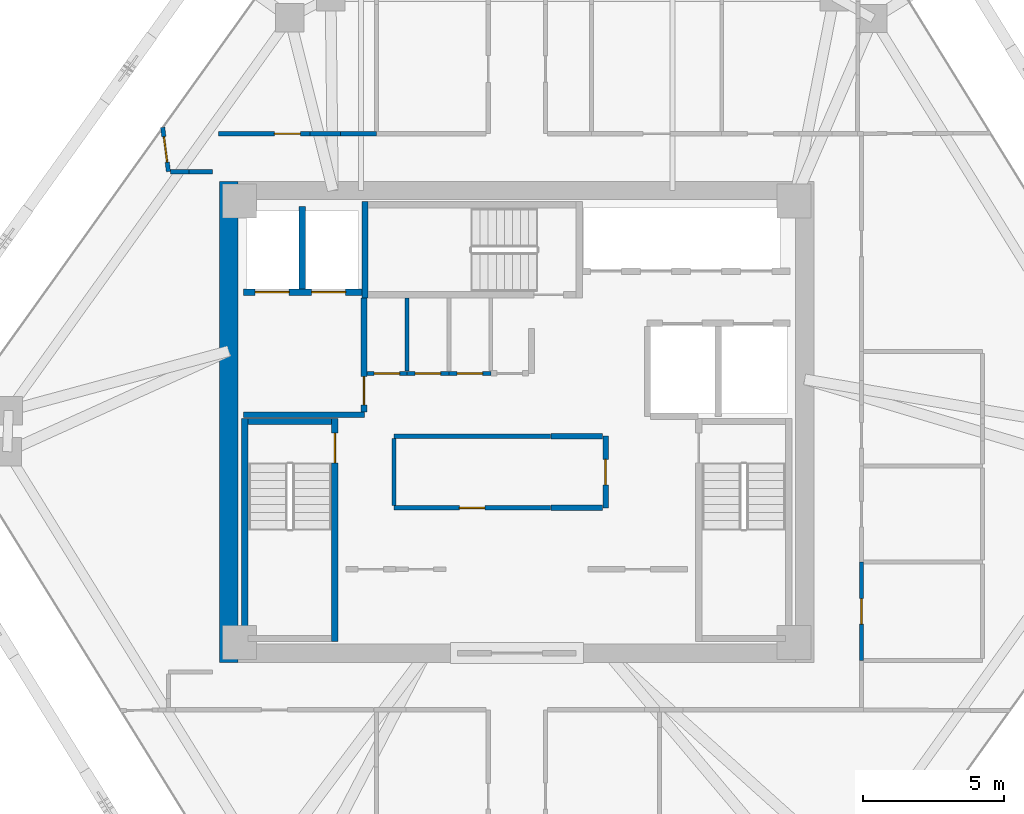
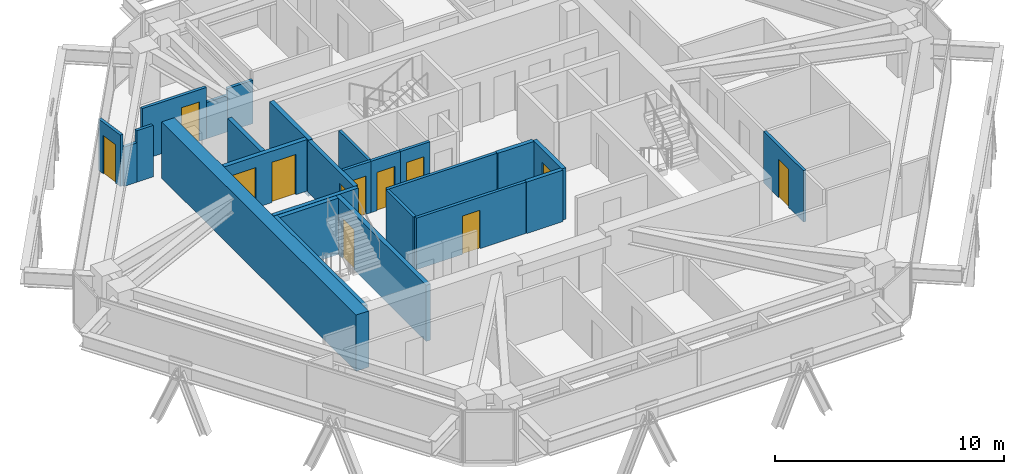
# One storey, part 11 of 15: 26 walls, 12 doors, 12 openings.
"""IFC4 building model written with IfcOpenShell, lengths in metres."""

from ifc_helpers import new_model, si_unit, direction, frame, frame_2d, origin, place, context, subcontext, project, spatial, rectangle, extrude, source, transform, mapped, material, layer, layer_set, type_object, type_shapes, element, fill, save


model = new_model("IFC4")

# Units and contexts
model_context = context("Model", 3, precision=1e-05, world=origin(), true_north=direction((0.0, 1.0)))
body_context = subcontext(model_context, "Body", "Model", "MODEL_VIEW")
ifc_project = project(units=[si_unit("LENGTHUNIT", "METRE"), si_unit("AREAUNIT", "SQUARE_METRE"), si_unit("VOLUMEUNIT", "CUBIC_METRE"), si_unit("PLANEANGLEUNIT", "RADIAN"), si_unit("MASSUNIT", "GRAM", prefix="KILO")], contexts=[model_context])

# Site, building, storey
site_placement = place(None, origin())
site = spatial("IfcSite", under=ifc_project, at=site_placement, CompositionType="ELEMENT")
building_placement = place(site_placement, origin())
building = spatial("IfcBuilding", under=site, at=building_placement, Name="Durnholm Broadcast Tower", CompositionType="ELEMENT")
storey_placement = place(building_placement, frame((0.0, 0.0, 206.199951171875)))
storey = spatial("IfcBuildingStorey", under=building, at=storey_placement, Name="L57", CompositionType="ELEMENT", Elevation=206.199951171875)

# Walls
ifc_material_1 = material(Name="Concrete C70/85", Category="concrete")
ifc_layer_1 = layer(ifc_material_1, 0.64990234375)
ifc_layer_set_1 = layer_set([ifc_layer_1], Name="Concrete C70/85")
wall_type_1 = type_object("IfcWallType", Name="WALL-CW-650", PredefinedType="SHEAR", material=ifc_layer_set_1)
wall_1_placement = place(storey_placement, frame((-10.175048828125, -8.5, 0.0), z_axis=(0.0, 0.0, 1.0), x_axis=(0.0, 1.0, 0.0)))
element("IfcWall", 1, at=wall_1_placement, inside=storey, type_object=wall_type_1, Name="L57 central core shear wall CW-WEST", PredefinedType="SHEAR", context=body_context, shape_type="SweptSolid", body=[
    extrude(rectangle(XDim=17.0, YDim=0.64990234375, at=frame_2d((8.5, 0.0))), origin(), (0.0, 0.0, 1.0), 3.0),
])
ifc_material_2 = material(Name="Fire-Rated Gypsum Shaftwall", Category="concrete")
ifc_layer_2 = layer(ifc_material_2, 0.199951171875)
ifc_layer_set_2 = layer_set([ifc_layer_2], Name="Fire-Rated Gypsum Shaftwall")
wall_type_2 = type_object("IfcWallType", Name="WALL-LOB-200", PredefinedType="SOLIDWALL", material=ifc_layer_set_2)
wall_2_placement = place(storey_placement, frame((-9.64990234375, 0.25, 0.0), z_axis=(0.0, 0.0, 1.0), x_axis=(1.0, 0.0, 0.0)))
element("IfcWall", 2, at=wall_2_placement, inside=storey, type_object=wall_type_2, Name="L57 Fire Service Access Elevator lobby south wall", PredefinedType="SOLIDWALL", context=body_context, shape_type="SweptSolid", body=[
    extrude(rectangle(XDim=4.27001953125, YDim=0.199951171875, at=frame_2d((2.135009765625, 0.0))), origin(), (0.0, 0.0, 1.0), 2.7451171875),
])

# Wall, opening, door
wall_3_placement = place(storey_placement, frame((-5.39990234375, 0.35400390625, 0.0), z_axis=(0.0, 0.0, 1.0), x_axis=(0.0, 1.0, 0.0)))
wall_3 = element("IfcWall", 3, at=wall_3_placement, inside=storey, type_object=wall_type_2, Name="L57 Fire Service Access Elevator lobby east fire wall", PredefinedType="SOLIDWALL", context=body_context, shape_type="SweptSolid", body=[
    extrude(rectangle(XDim=4.02587890625, YDim=0.199951171875, at=frame_2d((2.012939453125, 0.0))), origin(), (0.0, 0.0, 1.0), 2.7451171875),
])
opening_1_placement = place(wall_3_placement, frame((0.24609375, 0.0, 0.0)))
opening_1 = element("IfcOpeningElement", 4, at=opening_1_placement, cuts=wall_3, Name="Opening DL-60R", PredefinedType="OPENING", context=body_context, shape_type="SweptSolid", body=[
    extrude(rectangle(XDim=1.0, YDim=2.14990234375, at=frame_2d((0.5, 1.074951171875))), frame((0.0, 0.10986328125, 0.0), z_axis=(0.0, -1.0, 0.0), x_axis=(1.0, 0.0, 0.0)), (0.0, 0.0, 1.0), 0.219970703125),
])
ifc_material_3 = material(Name="Fire-Rated Timber/Steel Door", Category="steel")
ifc_layer_3 = layer(ifc_material_3, 0.050048828125)
ifc_layer_set_3 = layer_set([ifc_layer_3], Name="Fire-Rated Timber/Steel Door")
door_type_1 = type_object("IfcDoorType", Name="DOOR-LOB-FD60-R", OperationType="NOTDEFINED", PredefinedType="DOOR", material=ifc_layer_set_3)
shared_shape_1 = source(origin(), body_context, "Body", "SweptSolid", [
    extrude(rectangle(XDim=1.0, YDim=2.14990234375, at=frame_2d((0.5, 1.074951171875))), frame((0.0, 0.02490234375, 0.0), z_axis=(0.0, -1.0, 0.0), x_axis=(1.0, 0.0, 0.0)), (0.0, 0.0, 1.0), 0.050048828125),
])
type_shapes(door_type_1, [shared_shape_1])
door_1_placement = place(opening_1_placement, origin())
door_1 = element("IfcDoor", 5, at=door_1_placement, inside=storey, type_object=door_type_1, Name="L57 Fire Service Access Elevator lobby smoke door", OperationType="SINGLE_SWING_RIGHT", OverallHeight=2.14990234375, OverallWidth=1.0, PredefinedType="DOOR", context=body_context, shape_type="MappedRepresentation", body=[
    mapped(shared_shape_1, transform((0.0, 0.0, 0.0), x_axis=(1.0, 0.0, 0.0), y_axis=(0.0, 1.0, 0.0), z_axis=(0.0, 0.0, 1.0), scale=1.0)),
])
fill(opening_1, door_1)

wall_4_placement = place(storey_placement, frame((3.139892578125, -0.510009765625, 0.0), z_axis=(0.0, 0.0, 1.0), x_axis=(0.0, -1.0, 0.0)))
wall_4 = element("IfcWall", 6, at=wall_4_placement, inside=storey, type_object=wall_type_2, Name="L57 Core IT Telecom Room corridor partition", PredefinedType="SOLIDWALL", context=body_context, shape_type="SweptSolid", body=[
    extrude(rectangle(XDim=2.530029296875, YDim=0.199951171875, at=frame_2d((1.26513671875, 0.0))), origin(), (0.0, 0.0, 1.0), 2.7451171875),
])
opening_2_placement = place(wall_4_placement, frame((0.81494140625, 0.0, 0.0)))
opening_2 = element("IfcOpeningElement", 7, at=opening_2_placement, cuts=wall_4, Name="Opening DC-60R", PredefinedType="OPENING", context=body_context, shape_type="SweptSolid", body=[
    extrude(rectangle(XDim=0.89990234375, YDim=2.050048828125, at=frame_2d((0.449951171875, 1.02490234375))), frame((0.0, 0.10986328125, 0.0), z_axis=(0.0, -1.0, 0.0), x_axis=(1.0, 0.0, 0.0)), (0.0, 0.0, 1.0), 0.219970703125),
])
ifc_material_4 = material(Name="Fire-Rated Core Service Door", Category="steel")
ifc_layer_4 = layer(ifc_material_4, 0.050048828125)
ifc_layer_set_4 = layer_set([ifc_layer_4], Name="Fire-Rated Core Service Door")
door_type_2 = type_object("IfcDoorType", Name="DOOR-CORE-FD60-R", OperationType="NOTDEFINED", PredefinedType="DOOR", material=ifc_layer_set_4)
shared_shape_2 = source(origin(), body_context, "Body", "SweptSolid", [
    extrude(rectangle(XDim=0.89990234375, YDim=2.050048828125, at=frame_2d((0.449951171875, 1.02490234375))), frame((0.0, 0.02490234375, 0.0), z_axis=(0.0, -1.0, 0.0), x_axis=(1.0, 0.0, 0.0)), (0.0, 0.0, 1.0), 0.050048828125),
])
type_shapes(door_type_2, [shared_shape_2])
door_2_placement = place(opening_2_placement, origin())
door_2 = element("IfcDoor", 8, at=door_2_placement, inside=storey, type_object=door_type_2, Name="L57 Core IT Telecom Room entrance door", OperationType="SINGLE_SWING_RIGHT", OverallHeight=2.050048828125, OverallWidth=0.89990234375, PredefinedType="DOOR", context=body_context, shape_type="MappedRepresentation", body=[
    mapped(shared_shape_2, transform((0.0, 0.0, 0.0), x_axis=(1.0, 0.0, 0.0), y_axis=(0.0, 1.0, 0.0), z_axis=(0.0, 0.0, 1.0), scale=1.0)),
])
fill(opening_2, door_2)

# Walls
for number, where, z_axis, x_axis, name in (
    (9, (3.035888671875, -3.0400390625, 0.0), (0.0, 0.0, 1.0), (-1.0, 0.0, 0.0), "L57 Core IT Telecom Room corridor partition"),
    (10, (1.2099609375, -0.510009765625, 0.0), (0.0, 0.0, 1.0), (1.0, 0.0, 0.0), "L57 Core IT Telecom Room corridor partition"),
):
    element("IfcWall", number, at=place(storey_placement, frame(where, z_axis=z_axis, x_axis=x_axis)), inside=storey, type_object=wall_type_2, Name=name, PredefinedType="SOLIDWALL", context=body_context, shape_type="SweptSolid", body=[
        extrude(rectangle(XDim=1.825927734375, YDim=0.199951171875, at=frame_2d((0.9130859375, 0.0))), origin(), (0.0, 0.0, 1.0), 2.7451171875),
    ])
ifc_material_5 = material(Name="Gypsum Metal Stud Partition", Category="concrete")
ifc_layer_5 = layer(ifc_material_5, 0.135009765625)
ifc_layer_set_5 = layer_set([ifc_layer_5], Name="Gypsum Metal Stud Partition")
wall_type_3 = type_object("IfcWallType", Name="WALL-PART-135", PredefinedType="PARTITIONING", material=ifc_layer_set_5)
wall_5_placement = place(storey_placement, frame((-3.8798828125, 4.375, 0.0), z_axis=(0.0, 0.0, 1.0), x_axis=(0.0, -1.0, 0.0)))
element("IfcWall", 11, at=wall_5_placement, inside=storey, type_object=wall_type_3, Name="L57 room dividing partition 6.7", PredefinedType="PARTITIONING", context=body_context, shape_type="SweptSolid", body=[
    extrude(rectangle(XDim=2.5859375, YDim=0.135009765625, at=frame_2d((1.29296875, 0.0))), origin(), (0.0, 0.0, 1.0), 2.7451171875),
])

# Wall, opening, door
ifc_material_6 = material(Name="Acoustic Gypsum Stud Partition", Category="concrete")
ifc_layer_6 = layer(ifc_material_6, 0.14990234375)
ifc_layer_set_6 = layer_set([ifc_layer_6], Name="Acoustic Gypsum Stud Partition")
wall_type_4 = type_object("IfcWallType", Name="WALL-PART-150", PredefinedType="PARTITIONING", material=ifc_layer_set_6)
wall_6_placement = place(storey_placement, frame((1.18994140625, -3.0400390625, 0.0), z_axis=(0.0, 0.0, 1.0), x_axis=(-1.0, 0.0, 0.0)))
wall_6 = element("IfcWall", 12, at=wall_6_placement, inside=storey, type_object=wall_type_4, Name="L57 Broadcast Equipment Store corridor partition", PredefinedType="PARTITIONING", context=body_context, shape_type="SweptSolid", body=[
    extrude(rectangle(XDim=5.530029296875, YDim=0.14990234375, at=frame_2d((2.76513671875, 0.0))), origin(), (0.0, 0.0, 1.0), 2.7451171875),
])
opening_3_placement = place(wall_6_placement, frame((2.31494140625, 0.0, 0.0)))
opening_3 = element("IfcOpeningElement", 13, at=opening_3_placement, cuts=wall_6, Name="Opening DC-60L", PredefinedType="OPENING", context=body_context, shape_type="SweptSolid", body=[
    extrude(rectangle(XDim=0.89990234375, YDim=2.050048828125, at=frame_2d((0.449951171875, 1.02490234375))), frame((0.0, 0.0849609375, 0.0), z_axis=(0.0, -1.0, 0.0), x_axis=(1.0, 0.0, 0.0)), (0.0, 0.0, 1.0), 0.169921875),
])
ifc_layer_7 = layer(ifc_material_4, 0.050048828125)
ifc_layer_set_7 = layer_set([ifc_layer_7], Name="Fire-Rated Core Service Door")
door_type_3 = type_object("IfcDoorType", Name="DOOR-CORE-FD60-L", OperationType="NOTDEFINED", PredefinedType="DOOR", material=ifc_layer_set_7)
shared_shape_3 = source(origin(), body_context, "Body", "SweptSolid", [
    extrude(rectangle(XDim=0.89990234375, YDim=2.050048828125, at=frame_2d((0.449951171875, 1.02490234375))), frame((0.0, 0.02490234375, 0.0), z_axis=(0.0, -1.0, 0.0), x_axis=(1.0, 0.0, 0.0)), (0.0, 0.0, 1.0), 0.050048828125),
])
type_shapes(door_type_3, [shared_shape_3])
door_3_placement = place(opening_3_placement, origin())
door_3 = element("IfcDoor", 14, at=door_3_placement, inside=storey, type_object=door_type_3, Name="L57 Broadcast Equipment Store entrance door", OperationType="SINGLE_SWING_LEFT", OverallHeight=2.050048828125, OverallWidth=0.89990234375, PredefinedType="DOOR", context=body_context, shape_type="MappedRepresentation", body=[
    mapped(shared_shape_3, transform((0.0, 0.0, 0.0), x_axis=(1.0, 0.0, 0.0), y_axis=(0.0, 1.0, 0.0), z_axis=(0.0, 0.0, 1.0), scale=1.0)),
])
fill(opening_3, door_3)

# Walls
wall_7_placement = place(storey_placement, frame((-4.340087890625, -0.510009765625, 0.0), z_axis=(0.0, 0.0, 1.0), x_axis=(1.0, 0.0, 0.0)))
element("IfcWall", 15, at=wall_7_placement, inside=storey, type_object=wall_type_4, Name="L57 Broadcast Equipment Store corridor partition", PredefinedType="PARTITIONING", context=body_context, shape_type="SweptSolid", body=[
    extrude(rectangle(XDim=5.530029296875, YDim=0.14990234375, at=frame_2d((2.76513671875, 0.0))), origin(), (0.0, 0.0, 1.0), 2.7451171875),
])
wall_8_placement = place(storey_placement, frame((-4.340087890625, -2.9609375, 0.0), z_axis=(0.0, 0.0, 1.0), x_axis=(0.0, 1.0, 0.0)))
element("IfcWall", 16, at=wall_8_placement, inside=storey, type_object=wall_type_4, Name="L57 Broadcast Equipment Store corridor partition", PredefinedType="PARTITIONING", context=body_context, shape_type="SweptSolid", body=[
    extrude(rectangle(XDim=2.371826171875, YDim=0.14990234375, at=frame_2d((1.18603515625, 0.0))), origin(), (0.0, 0.0, 1.0), 2.7451171875),
])

# Wall, opening, door
wall_9_placement = place(storey_placement, frame((-3.8798828125, 1.7099609375, 0.0), z_axis=(0.0, 0.0, 1.0), x_axis=(-1.0, 0.0, 0.0)))
wall_9 = element("IfcWall", 17, at=wall_9_placement, inside=storey, type_object=wall_type_4, Name="L57 Core First Aid Store corridor partition", PredefinedType="PARTITIONING", context=body_context, shape_type="SweptSolid", body=[
    extrude(rectangle(XDim=1.416015625, YDim=0.14990234375, at=frame_2d((0.7080078125, 0.0))), origin(), (0.0, 0.0, 1.0), 2.7451171875),
])
opening_4_placement = place(wall_9_placement, frame((0.258056640625, 0.0, 0.0)))
opening_4 = element("IfcOpeningElement", 18, at=opening_4_placement, cuts=wall_9, Name="Opening DC-60L", PredefinedType="OPENING", context=body_context, shape_type="SweptSolid", body=[
    extrude(rectangle(XDim=0.89990234375, YDim=2.050048828125, at=frame_2d((0.449951171875, 1.02490234375))), frame((0.0, 0.0849609375, 0.0), z_axis=(0.0, -1.0, 0.0), x_axis=(1.0, 0.0, 0.0)), (0.0, 0.0, 1.0), 0.169921875),
])
door_4_placement = place(opening_4_placement, origin())
door_4 = element("IfcDoor", 19, at=door_4_placement, inside=storey, type_object=door_type_3, Name="L57 Core First Aid Store entrance door", OperationType="SINGLE_SWING_LEFT", OverallHeight=2.050048828125, OverallWidth=0.89990234375, PredefinedType="DOOR", context=body_context, shape_type="MappedRepresentation", body=[
    mapped(shared_shape_3, transform((0.0, 0.0, 0.0), x_axis=(1.0, 0.0, 0.0), y_axis=(0.0, 1.0, 0.0), z_axis=(0.0, 0.0, 1.0), scale=1.0)),
])
fill(opening_4, door_4)

wall_10_placement = place(storey_placement, frame((-2.39990234375, 1.7099609375, 0.0), z_axis=(0.0, 0.0, 1.0), x_axis=(-1.0, 0.0, 0.0)))
wall_10 = element("IfcWall", 20, at=wall_10_placement, inside=storey, type_object=wall_type_4, Name="L57 Core Linen Supply Closet corridor partition", PredefinedType="PARTITIONING", context=body_context, shape_type="SweptSolid", body=[
    extrude(rectangle(XDim=1.47998046875, YDim=0.14990234375, at=frame_2d((0.739990234375, 0.0))), origin(), (0.0, 0.0, 1.0), 2.7451171875),
])
opening_5_placement = place(wall_10_placement, frame((0.2900390625, 0.0, 0.0)))
opening_5 = element("IfcOpeningElement", 21, at=opening_5_placement, cuts=wall_10, Name="Opening DC-60R", PredefinedType="OPENING", context=body_context, shape_type="SweptSolid", body=[
    extrude(rectangle(XDim=0.89990234375, YDim=2.050048828125, at=frame_2d((0.449951171875, 1.02490234375))), frame((0.0, 0.0849609375, 0.0), z_axis=(0.0, -1.0, 0.0), x_axis=(1.0, 0.0, 0.0)), (0.0, 0.0, 1.0), 0.169921875),
])
door_5_placement = place(opening_5_placement, origin())
door_5 = element("IfcDoor", 22, at=door_5_placement, inside=storey, type_object=door_type_2, Name="L57 Core Linen Supply Closet entrance door", OperationType="SINGLE_SWING_RIGHT", OverallHeight=2.050048828125, OverallWidth=0.89990234375, PredefinedType="DOOR", context=body_context, shape_type="MappedRepresentation", body=[
    mapped(shared_shape_2, transform((0.0, 0.0, 0.0), x_axis=(1.0, 0.0, 0.0), y_axis=(0.0, 1.0, 0.0), z_axis=(0.0, 0.0, 1.0), scale=1.0)),
])
fill(opening_5, door_5)

wall_11_placement = place(storey_placement, frame((-0.919921875, 1.7099609375, 0.0), z_axis=(0.0, 0.0, 1.0), x_axis=(-1.0, 0.0, 0.0)))
wall_11 = element("IfcWall", 23, at=wall_11_placement, inside=storey, type_object=wall_type_4, Name="L57 Core Safety Gear Store corridor partition", PredefinedType="PARTITIONING", context=body_context, shape_type="SweptSolid", body=[
    extrude(rectangle(XDim=1.47998046875, YDim=0.14990234375, at=frame_2d((0.739990234375, 0.0))), origin(), (0.0, 0.0, 1.0), 2.7451171875),
])
opening_6_placement = place(wall_11_placement, frame((0.2900390625, 0.0, 0.0)))
opening_6 = element("IfcOpeningElement", 24, at=opening_6_placement, cuts=wall_11, Name="Opening DC-60L", PredefinedType="OPENING", context=body_context, shape_type="SweptSolid", body=[
    extrude(rectangle(XDim=0.89990234375, YDim=2.050048828125, at=frame_2d((0.449951171875, 1.02490234375))), frame((0.0, 0.0849609375, 0.0), z_axis=(0.0, -1.0, 0.0), x_axis=(1.0, 0.0, 0.0)), (0.0, 0.0, 1.0), 0.169921875),
])
door_6_placement = place(opening_6_placement, origin())
door_6 = element("IfcDoor", 25, at=door_6_placement, inside=storey, type_object=door_type_3, Name="L57 Core Safety Gear Store entrance door", OperationType="SINGLE_SWING_LEFT", OverallHeight=2.050048828125, OverallWidth=0.89990234375, PredefinedType="DOOR", context=body_context, shape_type="MappedRepresentation", body=[
    mapped(shared_shape_3, transform((0.0, 0.0, 0.0), x_axis=(1.0, 0.0, 0.0), y_axis=(0.0, 1.0, 0.0), z_axis=(0.0, 0.0, 1.0), scale=1.0)),
])
fill(opening_6, door_6)

# Wall
wall_12_placement = place(storey_placement, frame((-4.9599609375, 10.179931640625, 0.0), z_axis=(0.0, 0.0, 1.0), x_axis=(-1.0, 0.0, 0.0)))
element("IfcWall", 26, at=wall_12_placement, inside=storey, type_object=wall_type_4, Name="L57 Music Rights Office corridor partition", PredefinedType="PARTITIONING", context=body_context, shape_type="SweptSolid", body=[
    extrude(rectangle(XDim=1.272705078125, YDim=0.14990234375, at=frame_2d((0.63623046875, 0.0))), origin(), (0.0, 0.0, 1.0), 2.308349609375),
])

# Wall, opening, door
wall_13_placement = place(storey_placement, frame((-7.29931640625, 10.179931640625, 0.0), z_axis=(0.0, 0.0, 1.0), x_axis=(-1.0, 0.0, 0.0)))
wall_13 = element("IfcWall", 27, at=wall_13_placement, inside=storey, type_object=wall_type_4, Name="L57 Music Rights Office corridor partition", PredefinedType="PARTITIONING", context=body_context, shape_type="SweptSolid", body=[
    extrude(rectangle(XDim=3.24072265625, YDim=0.14990234375, at=frame_2d((1.620361328125, 0.0))), origin(), (0.0, 0.0, 1.0), 2.7451171875),
])
opening_7_placement = place(wall_13_placement, frame((0.35009765625, 0.0, 0.0)))
opening_7 = element("IfcOpeningElement", 28, at=opening_7_placement, cuts=wall_13, Name="Opening DR-92R", PredefinedType="OPENING", context=body_context, shape_type="SweptSolid", body=[
    extrude(rectangle(XDim=0.919921875, YDim=2.10009765625, at=frame_2d((0.4599609375, 1.050048828125))), frame((0.0, 0.0849609375, 0.0), z_axis=(0.0, -1.0, 0.0), x_axis=(1.0, 0.0, 0.0)), (0.0, 0.0, 1.0), 0.169921875),
])
ifc_material_7 = material(Name="Oak Veneer Office Door", Category="wood")
ifc_layer_8 = layer(ifc_material_7, 0.050048828125)
ifc_layer_set_8 = layer_set([ifc_layer_8], Name="Oak Veneer Office Door")
door_type_4 = type_object("IfcDoorType", Name="DOOR-RM-920R", OperationType="NOTDEFINED", PredefinedType="DOOR", material=ifc_layer_set_8)
shared_shape_4 = source(origin(), body_context, "Body", "SweptSolid", [
    extrude(rectangle(XDim=0.919921875, YDim=2.10009765625, at=frame_2d((0.4599609375, 1.050048828125))), frame((0.0, 0.02490234375, 0.0), z_axis=(0.0, -1.0, 0.0), x_axis=(1.0, 0.0, 0.0)), (0.0, 0.0, 1.0), 0.050048828125),
])
type_shapes(door_type_4, [shared_shape_4])
door_7_placement = place(opening_7_placement, origin())
door_7 = element("IfcDoor", 29, at=door_7_placement, inside=storey, type_object=door_type_4, Name="L57 Music Rights Office entrance door", OperationType="SINGLE_SWING_RIGHT", OverallHeight=2.10009765625, OverallWidth=0.919921875, PredefinedType="DOOR", context=body_context, shape_type="MappedRepresentation", body=[
    mapped(shared_shape_4, transform((0.0, 0.0, 0.0), x_axis=(1.0, 0.0, 0.0), y_axis=(0.0, 1.0, 0.0), z_axis=(0.0, 0.0, 1.0), scale=1.0)),
])
fill(opening_7, door_7)

# Walls
wall_14_placement = place(storey_placement, frame((-6.232666015625, 10.179931640625, 0.0), z_axis=(0.0, 0.0, 1.0), x_axis=(-1.0, 0.0, 0.0)))
element("IfcWall", 30, at=wall_14_placement, inside=storey, type_object=wall_type_4, Name="L57 Music Rights Office corridor partition", PredefinedType="PARTITIONING", context=body_context, shape_type="SweptSolid", body=[
    extrude(rectangle(XDim=1.066650390625, YDim=0.14990234375, at=frame_2d((0.533203125, 0.0))), origin(), (0.0, 0.0, 1.0), 1.94189453125),
])
wall_15_placement = place(storey_placement, frame((-11.591064453125, 8.840087890625, 0.0), z_axis=(0.0, 0.0, 1.0), x_axis=(1.0, 0.0, 0.0)))
element("IfcWall", 31, at=wall_15_placement, inside=storey, type_object=wall_type_4, Name="L57 Composer Office 1 corridor partition", PredefinedType="PARTITIONING", context=body_context, shape_type="SweptSolid", body=[
    extrude(rectangle(XDim=0.8310546875, YDim=0.14990234375, at=frame_2d((0.41552734375, 0.0))), origin(), (0.0, 0.0, 1.0), 2.7451171875),
])
wall_16_placement = place(storey_placement, frame((-12.23681640625, 8.840087890625, 0.0), z_axis=(0.0, 0.0, 1.0), x_axis=(1.0, 0.0, 0.0)))
element("IfcWall", 32, at=wall_16_placement, inside=storey, type_object=wall_type_4, Name="L57 Composer Office 1 corridor partition", PredefinedType="PARTITIONING", context=body_context, shape_type="SweptSolid", body=[
    extrude(rectangle(XDim=0.645751953125, YDim=0.14990234375, at=frame_2d((0.32275390625, 0.0))), origin(), (0.0, 0.0, 1.0), 2.098876953125),
])

# Wall, opening, door
wall_17_placement = place(storey_placement, frame((-12.514404296875, 10.40625, 0.0), z_axis=(0.0, 0.0, 1.0), x_axis=(0.129378833178, -0.991595238757, 0.0)))
wall_17 = element("IfcWall", 33, at=wall_17_placement, inside=storey, type_object=wall_type_4, Name="L57 Composer Office 1 corridor partition", PredefinedType="PARTITIONING", context=body_context, shape_type="SweptSolid", body=[
    extrude(rectangle(XDim=1.579345703125, YDim=0.14990234375, at=frame_2d((0.78955078125, 0.0))), origin(), (0.0, 0.0, 1.0), 2.7451171875),
])
opening_8_placement = place(wall_17_placement, frame((0.33984375, 0.0, 0.0)))
opening_8 = element("IfcOpeningElement", 34, at=opening_8_placement, cuts=wall_17, Name="Opening DW-90R", PredefinedType="OPENING", context=body_context, shape_type="SweptSolid", body=[
    extrude(rectangle(XDim=0.89990234375, YDim=2.050048828125, at=frame_2d((0.449951171875, 1.02490234375))), frame((0.0, 0.0849609375, 0.0), z_axis=(0.0, -1.0, 0.0), x_axis=(1.0, 0.0, 0.0)), (0.0, 0.0, 1.0), 0.169921875),
])
ifc_material_8 = material(Name="Laminate Restroom Door", Category="steel")
ifc_layer_9 = layer(ifc_material_8, 0.050048828125)
ifc_layer_set_9 = layer_set([ifc_layer_9], Name="Laminate Restroom Door")
door_type_5 = type_object("IfcDoorType", Name="DOOR-WC-900R", OperationType="NOTDEFINED", PredefinedType="DOOR", material=ifc_layer_set_9)
shared_shape_5 = source(origin(), body_context, "Body", "SweptSolid", [
    extrude(rectangle(XDim=0.89990234375, YDim=2.050048828125, at=frame_2d((0.449951171875, 1.02490234375))), frame((0.0, 0.02490234375, 0.0), z_axis=(0.0, -1.0, 0.0), x_axis=(1.0, 0.0, 0.0)), (0.0, 0.0, 1.0), 0.050048828125),
])
type_shapes(door_type_5, [shared_shape_5])
door_8_placement = place(opening_8_placement, origin())
door_8 = element("IfcDoor", 35, at=door_8_placement, inside=storey, type_object=door_type_5, Name="L57 Composer Office 1 entrance door", OperationType="SINGLE_SWING_RIGHT", OverallHeight=2.050048828125, OverallWidth=0.89990234375, PredefinedType="DOOR", context=body_context, shape_type="MappedRepresentation", body=[
    mapped(shared_shape_5, transform((0.0, 0.0, 0.0), x_axis=(1.0, 0.0, 0.0), y_axis=(0.0, 1.0, 0.0), z_axis=(0.0, 0.0, 1.0), scale=1.0)),
])
fill(opening_8, door_8)

# Wall, openings, doors
ifc_material_9 = material(Name="Concrete Blockwork C30/37", Category="masonry")
ifc_layer_10 = layer(ifc_material_9, 0.219970703125)
ifc_layer_set_10 = layer_set([ifc_layer_10], Name="Concrete Blockwork C30/37")
wall_type_5 = type_object("IfcWallType", Name="WALL-SHAFT-220", PredefinedType="SOLIDWALL", material=ifc_layer_set_10)
wall_18_placement = place(storey_placement, frame((-9.64990234375, 4.580078125, 0.0), z_axis=(0.0, 0.0, 1.0), x_axis=(1.0, 0.0, 0.0)))
wall_18 = element("IfcWall", 36, at=wall_18_placement, inside=storey, type_object=wall_type_5, Name="L57 FSAE hoistway front fire wall", PredefinedType="SOLIDWALL", context=body_context, shape_type="SweptSolid", body=[
    extrude(rectangle(XDim=4.1748046875, YDim=0.219970703125, at=frame_2d((2.08740234375, 0.0))), origin(), (0.0, 0.0, 1.0), 2.7451171875),
])
opening_9_placement = place(wall_18_placement, frame((0.39990234375, 0.0, 0.0)))
opening_9 = element("IfcOpeningElement", 37, at=opening_9_placement, cuts=wall_18, Name="Opening LD-FSAE-2", PredefinedType="OPENING", context=body_context, shape_type="SweptSolid", body=[
    extrude(rectangle(XDim=1.199951171875, YDim=2.14990234375, at=frame_2d((0.60009765625, 1.074951171875))), frame((0.0, 0.1201171875, 0.0), z_axis=(0.0, -1.0, 0.0), x_axis=(1.0, 0.0, 0.0)), (0.0, 0.0, 1.0), 0.239990234375),
])
opening_10_placement = place(wall_18_placement, frame((2.39990234375, 0.0, 0.0)))
opening_10 = element("IfcOpeningElement", 38, at=opening_10_placement, cuts=wall_18, Name="Opening LD-FSAE-1", PredefinedType="OPENING", context=body_context, shape_type="SweptSolid", body=[
    extrude(rectangle(XDim=1.199951171875, YDim=2.14990234375, at=frame_2d((0.60009765625, 1.074951171875))), frame((0.0, 0.1201171875, 0.0), z_axis=(0.0, -1.0, 0.0), x_axis=(1.0, 0.0, 0.0)), (0.0, 0.0, 1.0), 0.239990234375),
])
ifc_material_10 = material(Name="Fire Service Access Sliding Landing Door", Category="steel")
ifc_layer_11 = layer(ifc_material_10, 0.050048828125)
ifc_layer_set_11 = layer_set([ifc_layer_11], Name="Fire Service Access Sliding Landing Door")
door_type_6 = type_object("IfcDoorType", Name="DOOR-LIFT-FSAE", OperationType="DOUBLE_DOOR_SLIDING", PredefinedType="DOOR", material=ifc_layer_set_11)
shared_shape_6 = source(origin(), body_context, "Body", "SweptSolid", [
    extrude(rectangle(XDim=1.199951171875, YDim=2.14990234375, at=frame_2d((0.60009765625, 1.074951171875))), frame((0.0, 0.02490234375, 0.0), z_axis=(0.0, -1.0, 0.0), x_axis=(1.0, 0.0, 0.0)), (0.0, 0.0, 1.0), 0.050048828125),
])
type_shapes(door_type_6, [shared_shape_6])
door_9_placement = place(opening_9_placement, origin())
door_9 = element("IfcDoor", 39, at=door_9_placement, inside=storey, type_object=door_type_6, Name="L57 Fire Service Access Elevator FSAE-2 sliding landing door", OperationType="DOUBLE_DOOR_SLIDING", OverallHeight=2.14990234375, OverallWidth=1.199951171875, PredefinedType="DOOR", context=body_context, shape_type="MappedRepresentation", body=[
    mapped(shared_shape_6, transform((0.0, 0.0, 0.0), x_axis=(1.0, 0.0, 0.0), y_axis=(0.0, 1.0, 0.0), z_axis=(0.0, 0.0, 1.0), scale=1.0)),
])
fill(opening_9, door_9)
door_10_placement = place(opening_10_placement, origin())
door_10 = element("IfcDoor", 40, at=door_10_placement, inside=storey, type_object=door_type_6, Name="L57 Fire Service Access Elevator FSAE-1 sliding landing door", OperationType="DOUBLE_DOOR_SLIDING", OverallHeight=2.14990234375, OverallWidth=1.199951171875, PredefinedType="DOOR", context=body_context, shape_type="MappedRepresentation", body=[
    mapped(shared_shape_6, transform((0.0, 0.0, 0.0), x_axis=(1.0, 0.0, 0.0), y_axis=(0.0, 1.0, 0.0), z_axis=(0.0, 0.0, 1.0), scale=1.0)),
])
fill(opening_10, door_10)

# Wall
wall_19_placement = place(storey_placement, frame((-7.580078125, 4.694091796875, 0.0), z_axis=(0.0, 0.0, 1.0), x_axis=(0.0, 1.0, 0.0)))
element("IfcWall", 41, at=wall_19_placement, inside=storey, type_object=wall_type_5, Name="L57 FSAE shaft divider wall", PredefinedType="SOLIDWALL", context=body_context, shape_type="SweptSolid", body=[
    extrude(rectangle(XDim=2.906005859375, YDim=0.219970703125, at=frame_2d((1.453125, 0.0))), origin(), (0.0, 0.0, 1.0), 2.7451171875),
])

# Wall, opening, door
ifc_material_11 = material(Name="Concrete C50/60", Category="concrete")
ifc_layer_12 = layer(ifc_material_11, 0.219970703125)
ifc_layer_set_12 = layer_set([ifc_layer_12], Name="Concrete C50/60")
wall_type_6 = type_object("IfcWallType", Name="WALL-SW-220", PredefinedType="SHEAR", material=ifc_layer_set_12)
wall_20_placement = place(storey_placement, frame((-6.429931640625, -7.77001953125, -0.239990234375), z_axis=(0.0, 0.0, 1.0), x_axis=(0.0, 1.0, 0.0)))
wall_20 = element("IfcWall", 42, at=wall_20_placement, inside=storey, type_object=wall_type_6, Name="L57 stair ST-1 structural shaft wall E", PredefinedType="SHEAR", context=body_context, shape_type="SweptSolid", body=[
    extrude(rectangle(XDim=7.89013671875, YDim=0.219970703125, at=frame_2d((3.945068359375, 0.0))), origin(), (0.0, 0.0, 1.0), 3.0),
])
opening_11_placement = place(wall_20_placement, frame((6.320068359375, 0.0, 0.0)))
opening_11 = element("IfcOpeningElement", 43, at=opening_11_placement, cuts=wall_20, Name="Opening DS-90L", PredefinedType="OPENING", context=body_context, shape_type="SweptSolid", body=[
    extrude(rectangle(XDim=1.050048828125, YDim=2.14990234375, at=frame_2d((0.52490234375, 1.074951171875))), frame((0.0, 0.1201171875, 0.0), z_axis=(0.0, -1.0, 0.0), x_axis=(1.0, 0.0, 0.0)), (0.0, 0.0, 1.0), 0.239990234375),
])
ifc_material_12 = material(Name="Fire-Rated Steel Door", Category="steel")
ifc_layer_13 = layer(ifc_material_12, 0.050048828125)
ifc_layer_set_13 = layer_set([ifc_layer_13], Name="Fire-Rated Steel Door")
door_type_7 = type_object("IfcDoorType", Name="DOOR-ST-FD90-L", OperationType="NOTDEFINED", PredefinedType="DOOR", material=ifc_layer_set_13)
shared_shape_7 = source(origin(), body_context, "Body", "SweptSolid", [
    extrude(rectangle(XDim=1.050048828125, YDim=2.14990234375, at=frame_2d((0.52490234375, 1.074951171875))), frame((0.0, 0.02490234375, 0.0), z_axis=(0.0, -1.0, 0.0), x_axis=(1.0, 0.0, 0.0)), (0.0, 0.0, 1.0), 0.050048828125),
])
type_shapes(door_type_7, [shared_shape_7])
door_11_placement = place(opening_11_placement, origin())
door_11 = element("IfcDoor", 44, at=door_11_placement, inside=storey, type_object=door_type_7, Name="L57 exit stair ST-1 fire door", OperationType="SINGLE_SWING_LEFT", OverallHeight=2.14990234375, OverallWidth=1.050048828125, PredefinedType="DOOR", context=body_context, shape_type="MappedRepresentation", body=[
    mapped(shared_shape_7, transform((0.0, 0.0, 0.0), x_axis=(1.0, 0.0, 0.0), y_axis=(0.0, 1.0, 0.0), z_axis=(0.0, 0.0, 1.0), scale=1.0)),
])
fill(opening_11, door_11)

# Walls
wall_21_placement = place(storey_placement, frame((-9.610107421875, 0.1201171875, -0.239990234375), z_axis=(0.0, 0.0, 1.0), x_axis=(0.0, -1.0, 0.0)))
element("IfcWall", 45, at=wall_21_placement, inside=storey, type_object=wall_type_6, Name="L57 stair ST-1 structural shaft wall W", PredefinedType="SHEAR", context=body_context, shape_type="SweptSolid", body=[
    extrude(rectangle(XDim=7.89013671875, YDim=0.219970703125, at=frame_2d((3.945068359375, 0.0))), origin(), (0.0, 0.0, 1.0), 3.0),
])
wall_22_placement = place(storey_placement, frame((-6.5400390625, 0.010009765625, -0.239990234375), z_axis=(0.0, 0.0, 1.0), x_axis=(-1.0, 0.0, 0.0)))
element("IfcWall", 46, at=wall_22_placement, inside=storey, type_object=wall_type_6, Name="L57 stair ST-1 structural shaft wall N", PredefinedType="SHEAR", context=body_context, shape_type="SweptSolid", body=[
    extrude(rectangle(XDim=2.9599609375, YDim=0.219970703125, at=frame_2d((1.47998046875, 0.0))), origin(), (0.0, 0.0, 1.0), 3.0),
])
wall_23_placement = place(storey_placement, frame((-5.360107421875, 7.780029296875, -0.239990234375), z_axis=(0.0, 0.0, 1.0), x_axis=(0.0, -1.0, 0.0)))
element("IfcWall", 47, at=wall_23_placement, inside=storey, type_object=wall_type_6, Name="L57 stair ST-3 structural shaft wall W", PredefinedType="SHEAR", context=body_context, shape_type="SweptSolid", body=[
    extrude(rectangle(XDim=3.400146484375, YDim=0.219970703125, at=frame_2d((1.7001953125, 0.0))), origin(), (0.0, 0.0, 1.0), 3.0),
])

# Wall, opening, door
ifc_material_13 = material(Name="Moisture-Resistant Tile Partition", Category="concrete")
ifc_layer_14 = layer(ifc_material_13, 0.139892578125)
ifc_layer_set_14 = layer_set([ifc_layer_14], Name="Moisture-Resistant Tile Partition")
wall_type_7 = type_object("IfcWallType", Name="WALL-WC-140", PredefinedType="PARTITIONING", material=ifc_layer_set_14)
wall_24_placement = place(storey_placement, frame((12.179931640625, -8.43994140625, 0.0), z_axis=(0.0, 0.0, 1.0), x_axis=(0.0, 1.0, 0.0)))
wall_24 = element("IfcWall", 48, at=wall_24_placement, inside=storey, type_object=wall_type_7, Name="L57 Men's Restroom corridor partition", PredefinedType="PARTITIONING", context=body_context, shape_type="SweptSolid", body=[
    extrude(rectangle(XDim=3.47998046875, YDim=0.139892578125, at=frame_2d((1.739990234375, 0.0))), origin(), (0.0, 0.0, 1.0), 2.7451171875),
])
opening_12_placement = place(wall_24_placement, frame((1.2900390625, 0.0, 0.0)))
opening_12 = element("IfcOpeningElement", 49, at=opening_12_placement, cuts=wall_24, Name="Opening DW-90L", PredefinedType="OPENING", context=body_context, shape_type="SweptSolid", body=[
    extrude(rectangle(XDim=0.89990234375, YDim=2.050048828125, at=frame_2d((0.449951171875, 1.02490234375))), frame((0.0, 0.080078125, 0.0), z_axis=(0.0, -1.0, 0.0), x_axis=(1.0, 0.0, 0.0)), (0.0, 0.0, 1.0), 0.159912109375),
])
ifc_layer_15 = layer(ifc_material_8, 0.050048828125)
ifc_layer_set_15 = layer_set([ifc_layer_15], Name="Laminate Restroom Door")
door_type_8 = type_object("IfcDoorType", Name="DOOR-WC-900L", OperationType="NOTDEFINED", PredefinedType="DOOR", material=ifc_layer_set_15)
shared_shape_8 = source(origin(), body_context, "Body", "SweptSolid", [
    extrude(rectangle(XDim=0.89990234375, YDim=2.050048828125, at=frame_2d((0.449951171875, 1.02490234375))), frame((0.0, 0.02490234375, 0.0), z_axis=(0.0, -1.0, 0.0), x_axis=(1.0, 0.0, 0.0)), (0.0, 0.0, 1.0), 0.050048828125),
])
type_shapes(door_type_8, [shared_shape_8])
door_12_placement = place(opening_12_placement, origin())
door_12 = element("IfcDoor", 50, at=door_12_placement, inside=storey, type_object=door_type_8, Name="L57 Men's Restroom entrance door", OperationType="SINGLE_SWING_LEFT", OverallHeight=2.050048828125, OverallWidth=0.89990234375, PredefinedType="DOOR", context=body_context, shape_type="MappedRepresentation", body=[
    mapped(shared_shape_8, transform((0.0, 0.0, 0.0), x_axis=(1.0, 0.0, 0.0), y_axis=(0.0, 1.0, 0.0), z_axis=(0.0, 0.0, 1.0), scale=1.0)),
])
fill(opening_12, door_12)

save(model, "model.ifc")
